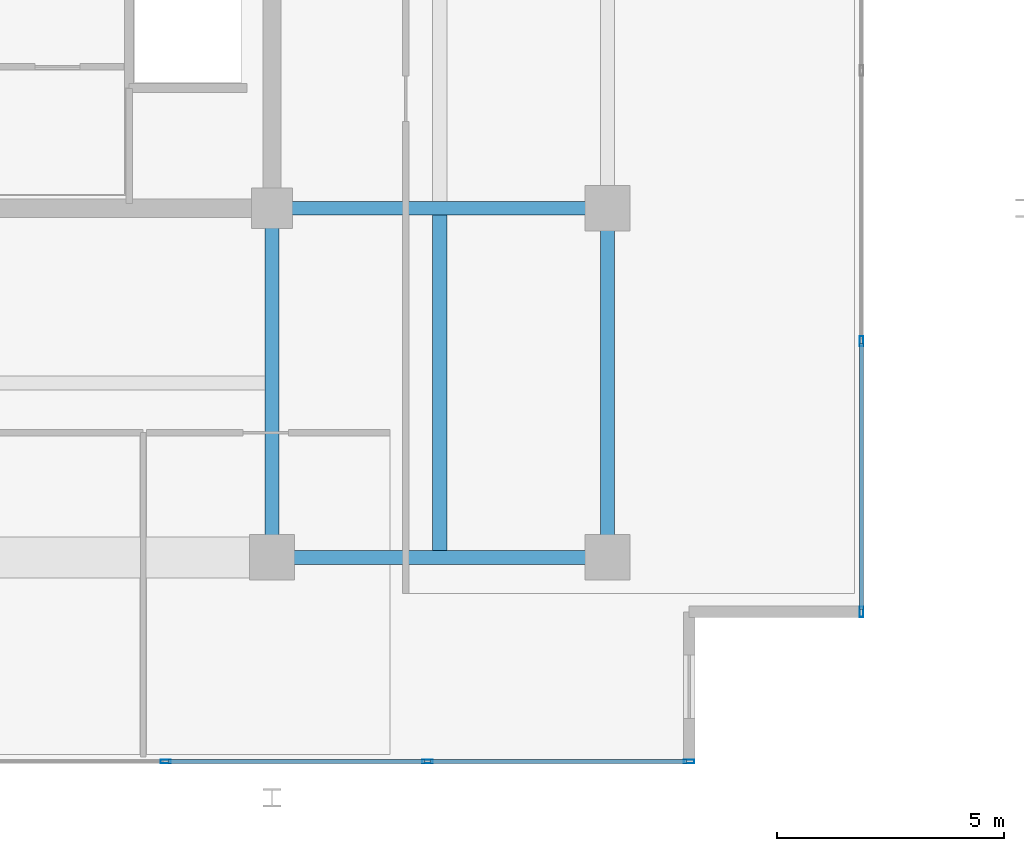
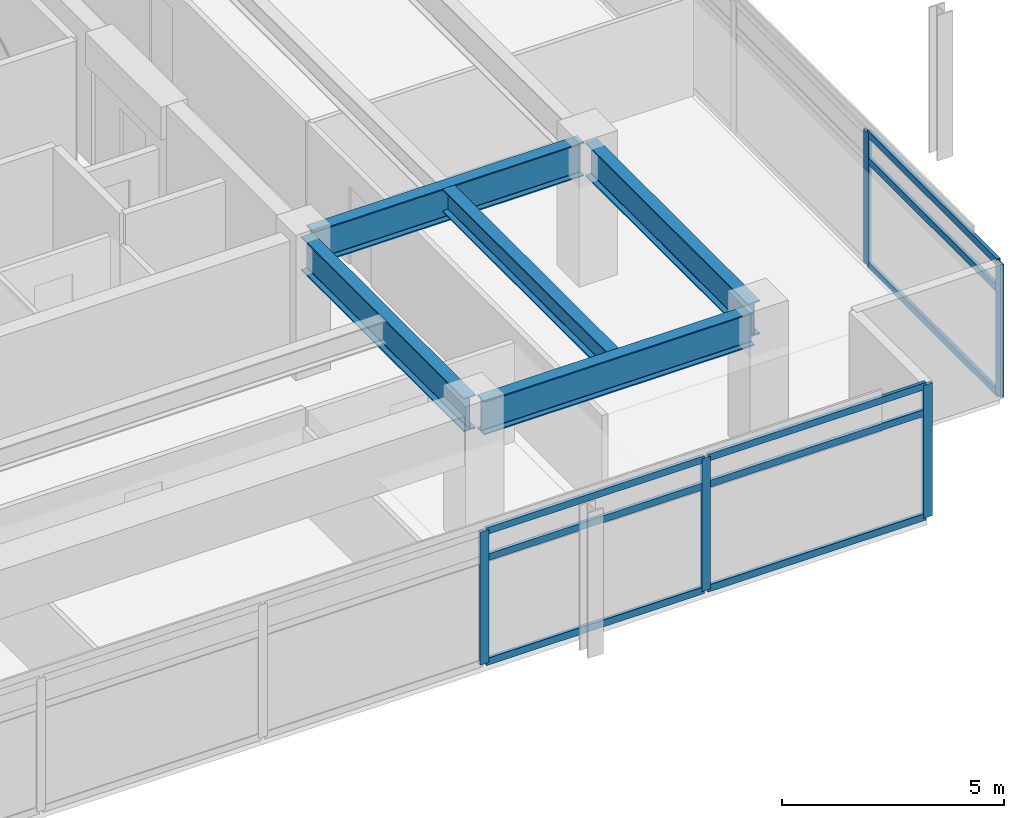
# One storey, part 5 of 18: 14 members, 5 beams, 2 elements without a shape of their own.
"""IFC4 building model written with IfcOpenShell, lengths in metres."""

from ifc_helpers import new_model, si_unit, direction, frame, origin, origin_2d, place, context, subcontext, project, spatial, hollow_rectangle, i_section, extrude, material, material_profile, profile_set, type_object, element, aggregate, save


model = new_model("IFC4")

# Units and contexts
model_context = context("Model", 3, precision=1e-05, world=origin(), true_north=direction((0.0, 1.0)))
body_context = subcontext(model_context, "Body", "Model", "MODEL_VIEW")
ifc_project = project(units=[si_unit("LENGTHUNIT", "METRE"), si_unit("AREAUNIT", "SQUARE_METRE"), si_unit("VOLUMEUNIT", "CUBIC_METRE"), si_unit("PLANEANGLEUNIT", "RADIAN"), si_unit("MASSUNIT", "GRAM", prefix="KILO")], contexts=[model_context])

# Site, building, storey
site_placement = place(None, origin())
site = spatial("IfcSite", under=ifc_project, at=site_placement, CompositionType="ELEMENT")
building_placement = place(site_placement, origin())
building = spatial("IfcBuilding", under=site, at=building_placement, Name="Kovane Verandah Tower", CompositionType="ELEMENT")
storey_placement = place(building_placement, frame((0.0, 0.0, 338.800048828125)))
storey = spatial("IfcBuildingStorey", under=building, at=storey_placement, Name="L79", CompositionType="ELEMENT", Elevation=338.800048828125)

# Beams
ifc_material_1 = material(Name="Steel S460", Category="steel")
ifc_material_profile_1 = material_profile(ifc_material_1, i_section(OverallWidth=0.311279296875, OverallDepth=0.6357421875, WebThickness=0.018310546875, FlangeThickness=0.031494140625, FilletRadius=0.0166015625, at=origin_2d()), Name="UB610x305x238")
ifc_profile_set_1 = profile_set([ifc_material_profile_1], Name="Steel S460")
beam_type_1 = type_object("IfcBeamType", Name="BM-UB610x238", PredefinedType="BEAM", material=ifc_profile_set_1)
beam_1_placement = place(storey_placement, frame((54.699951171875, 10.951904296875, 3.382080078125), z_axis=(0.0, 1.0, 0.0), x_axis=(-1.0, 0.0, 0.0)))
element("IfcBeam", 1, at=beam_1_placement, inside=storey, type_object=beam_type_1, Name="L79 Secondary Composite Joist J-SE1", PredefinedType="BEAM", context=body_context, shape_type="SweptSolid", body=[
    extrude(i_section(OverallWidth=0.311279296875, OverallDepth=0.6357421875, WebThickness=0.018310546875, FlangeThickness=0.031494140625, FilletRadius=0.0166015625, at=origin_2d()), origin(), (0.0, 0.0, 1.0), 7.396240234375),
])
ifc_material_profile_2 = material_profile(ifc_material_1, i_section(OverallWidth=0.3076171875, OverallDepth=0.926513671875, WebThickness=0.01953125, FlangeThickness=0.031982421875, FilletRadius=0.01904296875, at=origin_2d()), Name="UB914x305x289")
ifc_profile_set_2 = profile_set([ifc_material_profile_2], Name="Steel S460")
beam_type_2 = type_object("IfcBeamType", Name="BM-UB914x289", PredefinedType="BEAM", material=ifc_profile_set_2)
beam_2_placement = place(storey_placement, frame((51.179931640625, 10.800048828125, 3.236572265625), z_axis=(1.0, 0.0, 0.0), x_axis=(0.0, 1.0, 0.0)))
element("IfcBeam", 2, at=beam_2_placement, inside=storey, type_object=beam_type_2, Name="L79 Primary Tower Girder G-RS3", PredefinedType="BEAM", context=body_context, shape_type="SweptSolid", body=[
    extrude(i_section(OverallWidth=0.3076171875, OverallDepth=0.926513671875, WebThickness=0.01953125, FlangeThickness=0.031982421875, FilletRadius=0.01904296875, at=origin_2d()), origin(), (0.0, 0.0, 1.0), 7.0400390625),
])
beam_3_placement = place(storey_placement, frame((58.39990234375, 10.97998046875, 3.236572265625), z_axis=(0.0, 1.0, 0.0), x_axis=(-1.0, 0.0, 0.0)))
element("IfcBeam", 3, at=beam_3_placement, inside=storey, type_object=beam_type_2, Name="L79 Primary Tower Girder G-RE1", PredefinedType="BEAM", context=body_context, shape_type="SweptSolid", body=[
    extrude(i_section(OverallWidth=0.3076171875, OverallDepth=0.926513671875, WebThickness=0.01953125, FlangeThickness=0.031982421875, FilletRadius=0.01904296875, at=origin_2d()), origin(), (0.0, 0.0, 1.0), 7.340087890625),
])
beam_4_placement = place(storey_placement, frame((51.179931640625, 18.5, 3.236572265625), z_axis=(1.0, 0.0, 0.0), x_axis=(0.0, 1.0, 0.0)))
element("IfcBeam", 4, at=beam_4_placement, inside=storey, type_object=beam_type_2, Name="L79 Primary Tower Girder G-E1", PredefinedType="BEAM", context=body_context, shape_type="SweptSolid", body=[
    extrude(i_section(OverallWidth=0.3076171875, OverallDepth=0.926513671875, WebThickness=0.01953125, FlangeThickness=0.031982421875, FilletRadius=0.01904296875, at=origin_2d()), origin(), (0.0, 0.0, 1.0), 7.0400390625),
])
beam_5_placement = place(storey_placement, frame((51.0, 18.320068359375, 3.236572265625), z_axis=(0.0, -1.0, 0.0), x_axis=(1.0, 0.0, 0.0)))
element("IfcBeam", 5, at=beam_5_placement, inside=storey, type_object=beam_type_2, Name="L79 Primary Tower Girder G-S2", PredefinedType="BEAM", context=body_context, shape_type="SweptSolid", body=[
    extrude(i_section(OverallWidth=0.3076171875, OverallDepth=0.926513671875, WebThickness=0.01953125, FlangeThickness=0.031982421875, FilletRadius=0.01904296875, at=origin_2d()), origin(), (0.0, 0.0, 1.0), 7.340087890625),
])

# Curtain wall, members
ifc_material_2 = material(Name="Champagne Anodised Aluminium Frame with Low-E Clear Laminated Glass", Category="aluminium")
curtain_wall_type = type_object("IfcCurtainWallType", Name="CW-SYS-05-HIGH", PredefinedType="NOTDEFINED", material=ifc_material_2)
curtain_wall_1_placement = place(storey_placement, origin())
curtain_wall_1 = element("IfcCurtainWall", 6, at=curtain_wall_1_placement, inside=storey, type_object=curtain_wall_type, Name="L79 S Unitised Curtain Wall", PredefinedType="NOTDEFINED")
ifc_material_3 = material(Name="Champagne Anodised Aluminium 6063-T6", Category="aluminium")
ifc_material_profile_3 = material_profile(ifc_material_3, hollow_rectangle(XDim=0.0849609375, YDim=0.22998046875, WallThickness=0.00390625, at=origin_2d()), Name="AL85x230x4")
ifc_profile_set_3 = profile_set([ifc_material_profile_3], Name="Champagne Anodised Aluminium 6063-T6")
member_type_1 = type_object("IfcMemberType", Name="CW-MUL-85x230", PredefinedType="MULLION", material=ifc_profile_set_3)
member_1_placement = place(storey_placement, frame((48.656982421875, 6.300048828125, 0.02001953125), z_axis=(0.0, 0.0, 1.0), x_axis=(0.0, -1.0, 0.0)))
member_1 = element("IfcMember", 7, at=member_1_placement, type_object=member_type_1, Name="L79 S Unitised Curtain Wall Mullion 6", PredefinedType="MULLION", context=body_context, shape_type="SweptSolid", body=[
    extrude(hollow_rectangle(XDim=0.0849609375, YDim=0.22998046875, WallThickness=0.00390625, at=origin_2d()), origin(), (0.0, 0.0, 1.0), 3.659912109375),
])
member_2_placement = place(storey_placement, frame((54.4287109375, 6.300048828125, 0.02001953125), z_axis=(0.0, 0.0, 1.0), x_axis=(0.0, -1.0, 0.0)))
member_2 = element("IfcMember", 8, at=member_2_placement, type_object=member_type_1, Name="L79 S Unitised Curtain Wall Mullion 7", PredefinedType="MULLION", context=body_context, shape_type="SweptSolid", body=[
    extrude(hollow_rectangle(XDim=0.0849609375, YDim=0.22998046875, WallThickness=0.00390625, at=origin_2d()), origin(), (0.0, 0.0, 1.0), 3.659912109375),
])
member_3_placement = place(storey_placement, frame((60.199951171875, 6.300048828125, 0.02001953125), z_axis=(0.0, 0.0, 1.0), x_axis=(0.0, -1.0, 0.0)))
member_3 = element("IfcMember", 9, at=member_3_placement, type_object=member_type_1, Name="L79 S Unitised Curtain Wall Mullion 8", PredefinedType="MULLION", context=body_context, shape_type="SweptSolid", body=[
    extrude(hollow_rectangle(XDim=0.0849609375, YDim=0.22998046875, WallThickness=0.00390625, at=origin_2d()), origin(), (0.0, 0.0, 1.0), 3.659912109375),
])

curtain_wall_2_placement = place(storey_placement, origin())
curtain_wall_2 = element("IfcCurtainWall", 10, at=curtain_wall_2_placement, inside=storey, type_object=curtain_wall_type, Name="L79 E Unitised Curtain Wall", PredefinedType="NOTDEFINED")
member_4_placement = place(storey_placement, frame((64.0, 9.60009765625, 0.02001953125), z_axis=(0.0, 0.0, 1.0), x_axis=(1.0, 0.0, 0.0)))
member_4 = element("IfcMember", 11, at=member_4_placement, type_object=member_type_1, Name="L79 E Unitised Curtain Wall Mullion 1", PredefinedType="MULLION", context=body_context, shape_type="SweptSolid", body=[
    extrude(hollow_rectangle(XDim=0.0849609375, YDim=0.22998046875, WallThickness=0.00390625, at=origin_2d()), origin(), (0.0, 0.0, 1.0), 3.659912109375),
])
member_5_placement = place(storey_placement, frame((64.0, 15.566650390625, 0.02001953125), z_axis=(0.0, 0.0, 1.0), x_axis=(1.0, 0.0, 0.0)))
member_5 = element("IfcMember", 12, at=member_5_placement, type_object=member_type_1, Name="L79 E Unitised Curtain Wall Mullion 2", PredefinedType="MULLION", context=body_context, shape_type="SweptSolid", body=[
    extrude(hollow_rectangle(XDim=0.0849609375, YDim=0.22998046875, WallThickness=0.00390625, at=origin_2d()), origin(), (0.0, 0.0, 1.0), 3.659912109375),
])

# Member
ifc_material_profile_4 = material_profile(ifc_material_3, hollow_rectangle(XDim=0.0849609375, YDim=0.18994140625, WallThickness=0.00390625, at=origin_2d()), Name="AL85x190x4")
ifc_profile_set_4 = profile_set([ifc_material_profile_4], Name="Champagne Anodised Aluminium 6063-T6")
member_type_2 = type_object("IfcMemberType", Name="CW-TRN-85x190", PredefinedType="USERDEFINED", material=ifc_profile_set_4)
member_6_placement = place(storey_placement, frame((48.70703125, 6.300048828125, 0.050048828125), z_axis=(1.0, 0.0, 0.0), x_axis=(0.0, 1.0, 0.0)))
member_6 = element("IfcMember", 13, at=member_6_placement, type_object=member_type_2, Name="L79 S Unitised Curtain Wall Transom TB Bay 6", ObjectType="TRANSOM", PredefinedType="USERDEFINED", context=body_context, shape_type="SweptSolid", body=[
    extrude(hollow_rectangle(XDim=0.0849609375, YDim=0.18994140625, WallThickness=0.00390625, at=origin_2d()), origin(), (0.0, 0.0, 1.0), 5.671630859375),
])

member_7_placement = place(storey_placement, frame((48.70703125, 6.300048828125, 2.919921875), z_axis=(1.0, 0.0, 0.0), x_axis=(0.0, 1.0, 0.0)))
member_7 = element("IfcMember", 14, at=member_7_placement, type_object=member_type_2, Name="L79 S Unitised Curtain Wall Transom TM Bay 6", ObjectType="TRANSOM", PredefinedType="USERDEFINED", context=body_context, shape_type="SweptSolid", body=[
    extrude(hollow_rectangle(XDim=0.0849609375, YDim=0.18994140625, WallThickness=0.00390625, at=origin_2d()), origin(), (0.0, 0.0, 1.0), 5.671630859375),
])

member_8_placement = place(storey_placement, frame((48.70703125, 6.300048828125, 3.64990234375), z_axis=(1.0, 0.0, 0.0), x_axis=(0.0, 1.0, 0.0)))
member_8 = element("IfcMember", 15, at=member_8_placement, type_object=member_type_2, Name="L79 S Unitised Curtain Wall Transom TT Bay 6", ObjectType="TRANSOM", PredefinedType="USERDEFINED", context=body_context, shape_type="SweptSolid", body=[
    extrude(hollow_rectangle(XDim=0.0849609375, YDim=0.18994140625, WallThickness=0.00390625, at=origin_2d()), origin(), (0.0, 0.0, 1.0), 5.671630859375),
])

member_9_placement = place(storey_placement, frame((54.478515625, 6.300048828125, 0.050048828125), z_axis=(1.0, 0.0, 0.0), x_axis=(0.0, 1.0, 0.0)))
member_9 = element("IfcMember", 16, at=member_9_placement, type_object=member_type_2, Name="L79 S Unitised Curtain Wall Transom TB Bay 7", ObjectType="TRANSOM", PredefinedType="USERDEFINED", context=body_context, shape_type="SweptSolid", body=[
    extrude(hollow_rectangle(XDim=0.0849609375, YDim=0.18994140625, WallThickness=0.00390625, at=origin_2d()), origin(), (0.0, 0.0, 1.0), 5.67138671875),
])

member_10_placement = place(storey_placement, frame((54.478515625, 6.300048828125, 2.919921875), z_axis=(1.0, 0.0, 0.0), x_axis=(0.0, 1.0, 0.0)))
member_10 = element("IfcMember", 17, at=member_10_placement, type_object=member_type_2, Name="L79 S Unitised Curtain Wall Transom TM Bay 7", ObjectType="TRANSOM", PredefinedType="USERDEFINED", context=body_context, shape_type="SweptSolid", body=[
    extrude(hollow_rectangle(XDim=0.0849609375, YDim=0.18994140625, WallThickness=0.00390625, at=origin_2d()), origin(), (0.0, 0.0, 1.0), 5.67138671875),
])

member_11_placement = place(storey_placement, frame((54.478515625, 6.300048828125, 3.64990234375), z_axis=(1.0, 0.0, 0.0), x_axis=(0.0, 1.0, 0.0)))
member_11 = element("IfcMember", 18, at=member_11_placement, type_object=member_type_2, Name="L79 S Unitised Curtain Wall Transom TT Bay 7", ObjectType="TRANSOM", PredefinedType="USERDEFINED", context=body_context, shape_type="SweptSolid", body=[
    extrude(hollow_rectangle(XDim=0.0849609375, YDim=0.18994140625, WallThickness=0.00390625, at=origin_2d()), origin(), (0.0, 0.0, 1.0), 5.67138671875),
])

aggregate(curtain_wall_1, [member_1, member_2, member_3, member_6, member_7, member_8, member_9, member_10, member_11])

member_12_placement = place(storey_placement, frame((64.0, 9.64990234375, 0.050048828125), z_axis=(0.0, 1.0, 0.0), x_axis=(-1.0, 0.0, 0.0)))
member_12 = element("IfcMember", 19, at=member_12_placement, type_object=member_type_2, Name="L79 E Unitised Curtain Wall Transom TB Bay 1", ObjectType="TRANSOM", PredefinedType="USERDEFINED", context=body_context, shape_type="SweptSolid", body=[
    extrude(hollow_rectangle(XDim=0.0849609375, YDim=0.18994140625, WallThickness=0.00390625, at=origin_2d()), origin(), (0.0, 0.0, 1.0), 5.86669921875),
])

member_13_placement = place(storey_placement, frame((64.0, 9.64990234375, 2.919921875), z_axis=(0.0, 1.0, 0.0), x_axis=(-1.0, 0.0, 0.0)))
member_13 = element("IfcMember", 20, at=member_13_placement, type_object=member_type_2, Name="L79 E Unitised Curtain Wall Transom TM Bay 1", ObjectType="TRANSOM", PredefinedType="USERDEFINED", context=body_context, shape_type="SweptSolid", body=[
    extrude(hollow_rectangle(XDim=0.0849609375, YDim=0.18994140625, WallThickness=0.00390625, at=origin_2d()), origin(), (0.0, 0.0, 1.0), 5.86669921875),
])

member_14_placement = place(storey_placement, frame((64.0, 9.64990234375, 3.64990234375), z_axis=(0.0, 1.0, 0.0), x_axis=(-1.0, 0.0, 0.0)))
member_14 = element("IfcMember", 21, at=member_14_placement, type_object=member_type_2, Name="L79 E Unitised Curtain Wall Transom TT Bay 1", ObjectType="TRANSOM", PredefinedType="USERDEFINED", context=body_context, shape_type="SweptSolid", body=[
    extrude(hollow_rectangle(XDim=0.0849609375, YDim=0.18994140625, WallThickness=0.00390625, at=origin_2d()), origin(), (0.0, 0.0, 1.0), 5.86669921875),
])

aggregate(curtain_wall_2, [member_4, member_5, member_12, member_13, member_14])

save(model, "model.ifc")
